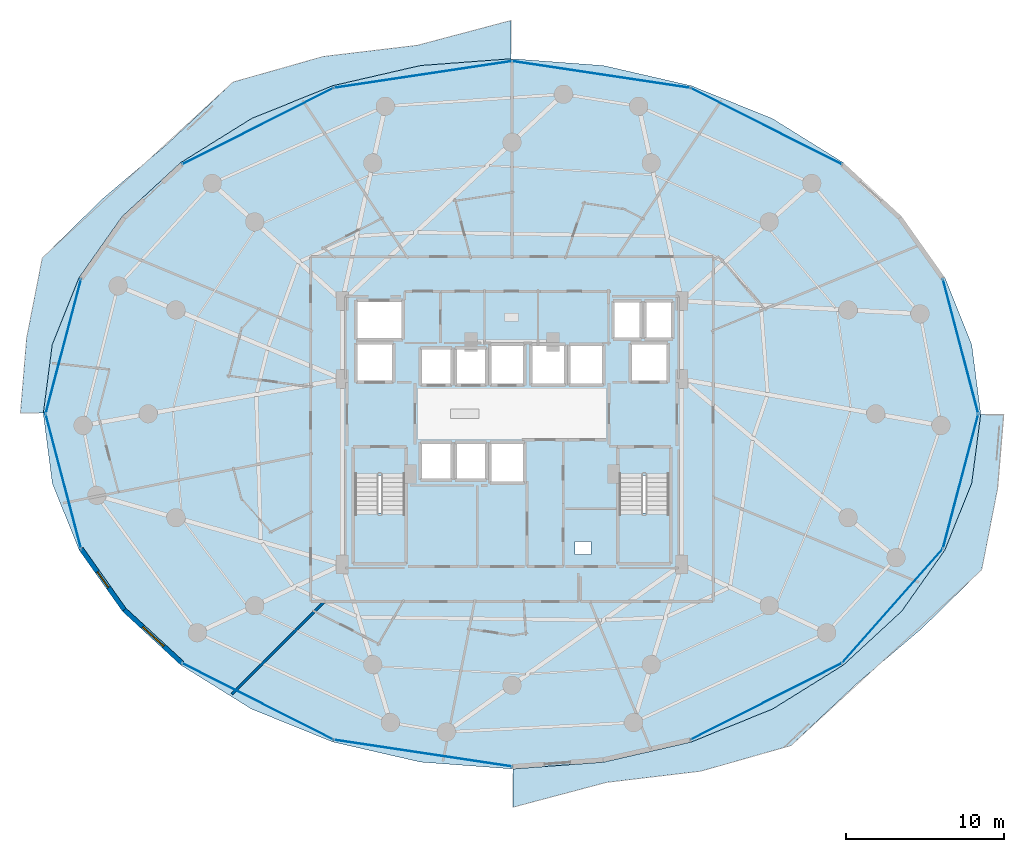
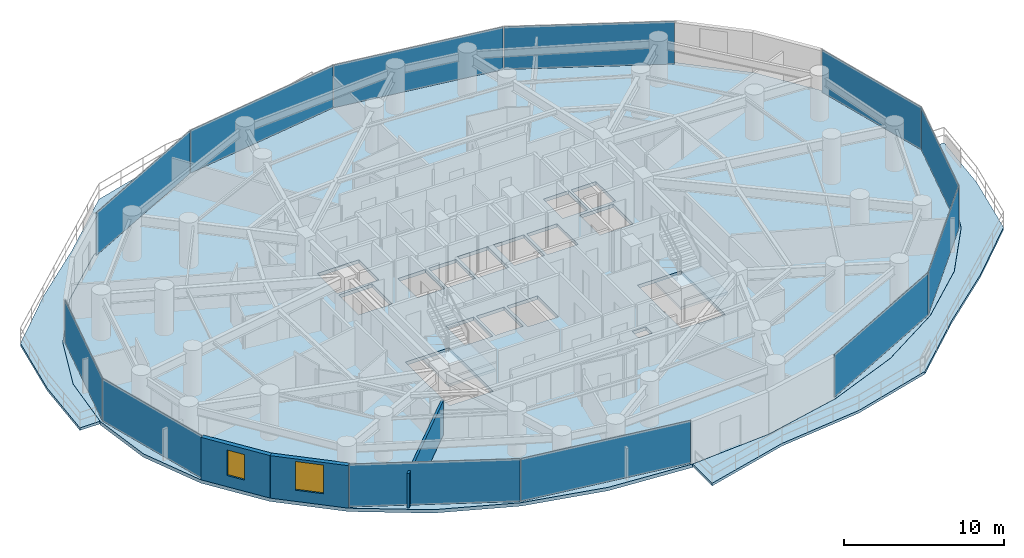
# One storey, part 26 of 35: 12 plates, 5 slabs, 3 walls, 2 windows, 2 openings, 6 elements without a shape of their own.
"""IFC4 building model written with IfcOpenShell, lengths in metres."""

from ifc_helpers import new_model, si_unit, direction, frame, frame_2d, origin, origin_2d, place, context, subcontext, project, spatial, polyline, rectangle, outline, extrude, material, layer, layer_set, type_object, element, fill, aggregate, save


model = new_model("IFC4")

# Units and contexts
model_context = context("Model", 3, precision=1e-05, world=origin(), true_north=direction((0.0, 1.0)))
body_context = subcontext(model_context, "Body", "Model", "MODEL_VIEW")
ifc_project = project(units=[si_unit("LENGTHUNIT", "METRE"), si_unit("AREAUNIT", "SQUARE_METRE"), si_unit("VOLUMEUNIT", "CUBIC_METRE"), si_unit("PLANEANGLEUNIT", "RADIAN"), si_unit("MASSUNIT", "GRAM", prefix="KILO")], contexts=[model_context])

# Site, building, storey
site_placement = place(None, origin())
site = spatial("IfcSite", under=ifc_project, at=site_placement, CompositionType="ELEMENT")
building_placement = place(site_placement, origin())
building = spatial("IfcBuilding", under=site, at=building_placement, Name="Vorneva Point Tower", CompositionType="ELEMENT")
storey_placement = place(building_placement, frame((0.0, 0.0, 52.0)))
storey = spatial("IfcBuildingStorey", under=building, at=storey_placement, Name="L13", CompositionType="ELEMENT", Elevation=52.0)

# Curtain wall, plates
ifc_material_1 = material(Name="Pale anodised aluminium", Category="aluminium")
curtain_wall_type = type_object("IfcCurtainWallType", Name="CW-HTL-SYS", PredefinedType="NOTDEFINED", material=ifc_material_1)
curtain_wall_1_placement = place(storey_placement, origin())
curtain_wall_1 = element("IfcCurtainWall", 1, at=curtain_wall_1_placement, inside=storey, type_object=curtain_wall_type, Name="L13 Unitised Curtain Wall CW-L13-R01", PredefinedType="NOTDEFINED")
ifc_material_2 = material(Name="Double low-e laminated glass IGU", Category="glass")
ifc_layer_1 = layer(ifc_material_2, 0.035888671875)
ifc_layer_set_1 = layer_set([ifc_layer_1], Name="Double low-e laminated glass IGU")
plate_type = type_object("IfcPlateType", Name="CW-PNL-VIS", PredefinedType="CURTAIN_PANEL", material=ifc_layer_set_1)
plate_1_placement = place(storey_placement, frame((54.101806640625, 7.773681640625, -0.02001953125), z_axis=(0.0, 0.0, 1.0), x_axis=(0.892499239729, 0.451048896554, 0.0)))
plate_1 = element("IfcPlate", 2, at=plate_1_placement, type_object=plate_type, Name="CW-L13-R01 Glazed Panel 01", PredefinedType="CURTAIN_PANEL", context=body_context, shape_type="SweptSolid", body=[
    extrude(rectangle(XDim=10.69140625, YDim=0.035888671875, at=origin_2d()), origin(), (0.0, 0.0, 1.0), 3.280029296875),
])
plate_2_placement = place(storey_placement, frame((62.097900390625, 13.821533203125, -0.02001953125), z_axis=(0.0, 0.0, 1.0), x_axis=(0.662070857019, 0.749441245386, 0.0)))
plate_2 = element("IfcPlate", 3, at=plate_2_placement, type_object=plate_type, Name="CW-L13-R01 Glazed Panel 02", PredefinedType="CURTAIN_PANEL", context=body_context, shape_type="SweptSolid", body=[
    extrude(rectangle(XDim=9.625, YDim=0.035888671875, at=origin_2d()), origin(), (0.0, 0.0, 1.0), 3.280029296875),
])
plate_3_placement = place(storey_placement, frame((66.42529296875, 21.723388671875, -0.02001953125), z_axis=(0.0, 0.0, 1.0), x_axis=(0.254348767449, 0.967112560407, 0.0)))
plate_3 = element("IfcPlate", 4, at=plate_3_placement, type_object=plate_type, Name="CW-L13-R01 Glazed Panel 03", PredefinedType="CURTAIN_PANEL", context=body_context, shape_type="SweptSolid", body=[
    extrude(rectangle(XDim=8.793701171875, YDim=0.035888671875, at=origin_2d()), origin(), (0.0, 0.0, 1.0), 3.280029296875),
])
plate_4_placement = place(storey_placement, frame((66.42529296875, 30.276611328125, -0.02001953125), z_axis=(0.0, 0.0, 1.0), x_axis=(-0.254348767449, 0.967112560407, 0.0)))
plate_4 = element("IfcPlate", 5, at=plate_4_placement, type_object=plate_type, Name="CW-L13-R01 Glazed Panel 04", PredefinedType="CURTAIN_PANEL", context=body_context, shape_type="SweptSolid", body=[
    extrude(rectangle(XDim=8.793701171875, YDim=0.035888671875, at=origin_2d()), origin(), (0.0, 0.0, 1.0), 3.280029296875),
])
aggregate(curtain_wall_1, [plate_1, plate_2, plate_3, plate_4])

curtain_wall_2_placement = place(storey_placement, origin())
curtain_wall_2 = element("IfcCurtainWall", 6, at=curtain_wall_2_placement, inside=storey, type_object=curtain_wall_type, Name="L13 Unitised Curtain Wall CW-L13-R02", PredefinedType="NOTDEFINED")
plate_5_placement = place(storey_placement, frame((54.101806640625, 44.226318359375, -0.02001953125), z_axis=(0.0, 0.0, 1.0), x_axis=(-0.892499239729, 0.451048896554, 0.0)))
plate_5 = element("IfcPlate", 7, at=plate_5_placement, type_object=plate_type, Name="CW-L13-R02 Glazed Panel 01", PredefinedType="CURTAIN_PANEL", context=body_context, shape_type="SweptSolid", body=[
    extrude(rectangle(XDim=10.69140625, YDim=0.035888671875, at=origin_2d()), origin(), (0.0, 0.0, 1.0), 3.280029296875),
])
plate_6_placement = place(storey_placement, frame((43.654296875, 47.499267578125, -0.02001953125), z_axis=(0.0, 0.0, 1.0), x_axis=(-0.988870924381, 0.148775989034, 0.0)))
plate_6 = element("IfcPlate", 8, at=plate_6_placement, type_object=plate_type, Name="CW-L13-R02 Glazed Panel 02", PredefinedType="CURTAIN_PANEL", context=body_context, shape_type="SweptSolid", body=[
    extrude(rectangle(XDim=11.385498046875, YDim=0.035888671875, at=origin_2d()), origin(), (0.0, 0.0, 1.0), 3.280029296875),
])
plate_7_placement = place(storey_placement, frame((32.345703125, 47.499267578125, -0.02001953125), z_axis=(0.0, 0.0, 1.0), x_axis=(-0.988870924381, -0.148775989034, 0.0)))
plate_7 = element("IfcPlate", 9, at=plate_7_placement, type_object=plate_type, Name="CW-L13-R02 Glazed Panel 03", PredefinedType="CURTAIN_PANEL", context=body_context, shape_type="SweptSolid", body=[
    extrude(rectangle(XDim=11.385498046875, YDim=0.035888671875, at=origin_2d()), origin(), (0.0, 0.0, 1.0), 3.280029296875),
])
plate_8_placement = place(storey_placement, frame((21.8984375, 44.226318359375, -0.02001953125), z_axis=(0.0, 0.0, 1.0), x_axis=(-0.892499239729, -0.451048896554, 0.0)))
plate_8 = element("IfcPlate", 10, at=plate_8_placement, type_object=plate_type, Name="CW-L13-R02 Glazed Panel 04", PredefinedType="CURTAIN_PANEL", context=body_context, shape_type="SweptSolid", body=[
    extrude(rectangle(XDim=10.69140625, YDim=0.035888671875, at=origin_2d()), origin(), (0.0, 0.0, 1.0), 3.280029296875),
])
aggregate(curtain_wall_2, [plate_5, plate_6, plate_7, plate_8])

curtain_wall_3_placement = place(storey_placement, origin())
curtain_wall_3 = element("IfcCurtainWall", 11, at=curtain_wall_3_placement, inside=storey, type_object=curtain_wall_type, Name="L13 Unitised Curtain Wall CW-L13-R03", PredefinedType="NOTDEFINED")
plate_9_placement = place(storey_placement, frame((9.57470703125, 30.276611328125, -0.02001953125), z_axis=(0.0, 0.0, 1.0), x_axis=(-0.254348767449, -0.967112560407, 0.0)))
plate_9 = element("IfcPlate", 12, at=plate_9_placement, type_object=plate_type, Name="CW-L13-R03 Glazed Panel 01", PredefinedType="CURTAIN_PANEL", context=body_context, shape_type="SweptSolid", body=[
    extrude(rectangle(XDim=8.793701171875, YDim=0.035888671875, at=origin_2d()), origin(), (0.0, 0.0, 1.0), 3.280029296875),
])
plate_10_placement = place(storey_placement, frame((9.57470703125, 21.723388671875, -0.02001953125), z_axis=(0.0, 0.0, 1.0), x_axis=(0.254348767449, -0.967112560407, 0.0)))
plate_10 = element("IfcPlate", 13, at=plate_10_placement, type_object=plate_type, Name="CW-L13-R03 Glazed Panel 02", PredefinedType="CURTAIN_PANEL", context=body_context, shape_type="SweptSolid", body=[
    extrude(rectangle(XDim=8.793701171875, YDim=0.035888671875, at=origin_2d()), origin(), (0.0, 0.0, 1.0), 3.280029296875),
])
aggregate(curtain_wall_3, [plate_9, plate_10])

curtain_wall_4_placement = place(storey_placement, origin())
curtain_wall_4 = element("IfcCurtainWall", 14, at=curtain_wall_4_placement, inside=storey, type_object=curtain_wall_type, Name="L13 Unitised Curtain Wall CW-L13-R04", PredefinedType="NOTDEFINED")
plate_11_placement = place(storey_placement, frame((21.8984375, 7.773681640625, -0.02001953125), z_axis=(0.0, 0.0, 1.0), x_axis=(0.892499239729, -0.451048896554, 0.0)))
plate_11 = element("IfcPlate", 15, at=plate_11_placement, type_object=plate_type, Name="CW-L13-R04 Glazed Panel 01", PredefinedType="CURTAIN_PANEL", context=body_context, shape_type="SweptSolid", body=[
    extrude(rectangle(XDim=10.69140625, YDim=0.035888671875, at=origin_2d()), origin(), (0.0, 0.0, 1.0), 3.280029296875),
])
plate_12_placement = place(storey_placement, frame((32.345703125, 4.500732421875, -0.02001953125), z_axis=(0.0, 0.0, 1.0), x_axis=(0.988870924381, -0.148775989034, 0.0)))
plate_12 = element("IfcPlate", 16, at=plate_12_placement, type_object=plate_type, Name="CW-L13-R04 Glazed Panel 02", PredefinedType="CURTAIN_PANEL", context=body_context, shape_type="SweptSolid", body=[
    extrude(rectangle(XDim=11.385498046875, YDim=0.035888671875, at=origin_2d()), origin(), (0.0, 0.0, 1.0), 3.280029296875),
])
aggregate(curtain_wall_4, [plate_11, plate_12])

# Slabs
ifc_material_3 = material(Name="Concrete B50 (C40/50)", Category="concrete")
ifc_layer_2 = layer(ifc_material_3, 0.199951171875)
ifc_layer_set_2 = layer_set([ifc_layer_2], Name="Concrete B50 (C40/50)")
slab_type_1 = type_object("IfcSlabType", Name="SLB-BAL-200", PredefinedType="FLOOR", material=ifc_layer_set_2)
slab_1_placement = place(storey_placement, frame((0.0, 0.0, -0.199951171875)))
element("IfcSlab", 17, at=slab_1_placement, inside=storey, type_object=slab_type_1, Name="L13 Cantilevered Wave Balcony NW", PredefinedType="FLOOR", context=body_context, shape_type="SweptSolid", body=[
    extrude(outline(polyline([(6.84912109375, 26.050048828125), (8.302490234375, 26.050048828125), (8.86669921875, 30.389892578125), (8.86669921875, 30.390380859375), (8.866943359375, 30.390625), (8.866943359375, 30.39111328125), (10.55712890625, 34.61181640625), (10.557373046875, 34.6123046875), (10.5576171875, 34.61279296875), (13.302001953125, 38.502685546875), (13.302490234375, 38.5029296875), (13.302734375, 38.503173828125), (16.99609375, 41.912841796875), (16.99658203125, 41.9130859375), (16.996826171875, 41.913330078125), (21.49755859375, 44.71142578125), (21.497802734375, 44.711669921875), (21.498046875, 44.7119140625), (26.6328125, 46.791015625), (26.633056640625, 46.791015625), (26.63330078125, 46.791259765625), (32.204833984375, 48.071533203125), (32.205078125, 48.07177734375), (32.20556640625, 48.07177734375), (37.949951171875, 48.500244140625), (37.949951171875, 50.931640625), (32.01171875, 49.3564453125), (26.050537109375, 48.647705078125), (20.326904296875, 47.02490234375), (16.120361328125, 43.069580078125), (12.043701171875, 39.613037109375), (8.235595703125, 35.881591796875), (7.24365234375, 30.816650390625), (6.84912109375, 26.050048828125)])), origin(), (0.0, 0.0, 1.0), 0.199951171875),
])
slab_2_placement = place(storey_placement, frame((0.0, 0.0, -0.199951171875)))
element("IfcSlab", 18, at=slab_2_placement, inside=storey, type_object=slab_type_1, Name="L13 Cantilevered Wave Balcony SE", PredefinedType="FLOOR", context=body_context, shape_type="SweptSolid", body=[
    extrude(outline(polyline([(68.75634765625, 21.183349609375), (69.15087890625, 25.949951171875), (67.697509765625, 25.949951171875), (67.13330078125, 21.610107421875), (67.13330078125, 21.609619140625), (67.133056640625, 21.609375), (67.133056640625, 21.60888671875), (65.44287109375, 17.38818359375), (65.442626953125, 17.3876953125), (65.4423828125, 17.38720703125), (62.697998046875, 13.497314453125), (62.697509765625, 13.4970703125), (62.697265625, 13.496826171875), (59.00390625, 10.087158203125), (59.00341796875, 10.0869140625), (59.003173828125, 10.086669921875), (54.50244140625, 7.28857421875), (54.502197265625, 7.288330078125), (54.501953125, 7.2880859375), (49.3671875, 5.208984375), (49.366943359375, 5.208984375), (49.36669921875, 5.208740234375), (43.795166015625, 3.928466796875), (43.794921875, 3.92822265625), (43.79443359375, 3.92822265625), (38.050048828125, 3.499755859375), (38.050048828125, 1.068359375), (43.98828125, 2.6435546875), (49.949462890625, 3.352294921875), (55.673095703125, 4.97509765625), (59.879638671875, 8.930419921875), (63.956298828125, 12.386962890625), (67.764404296875, 16.118408203125), (68.75634765625, 21.183349609375)])), origin(), (0.0, 0.0, 1.0), 0.199951171875),
])

# Stair, slab
stair_type = type_object("IfcStairType", Name="ST-DOG-1500", PredefinedType="HALF_TURN_STAIR", material=ifc_material_3)
stair_1_placement = place(storey_placement, origin())
stair_1 = element("IfcStair", 19, at=stair_1_placement, inside=storey, type_object=stair_type, Name="L13 ST1", PredefinedType="HALF_TURN_STAIR")
ifc_layer_3 = layer(ifc_material_3, 0.199951171875)
ifc_layer_set_3 = layer_set([ifc_layer_3], Name="Concrete B50 (C40/50)")
slab_type_2 = type_object("IfcSlabType", Name="SLB-LND-200", PredefinedType="LANDING", material=ifc_layer_set_3)
slab_3_placement = place(storey_placement, frame((0.0, 0.0, 1.550048828125)))
slab_3 = element("IfcSlab", 20, at=slab_3_placement, type_object=slab_type_2, Name="ST1 landing 1", PredefinedType="LANDING", context=body_context, shape_type="SweptSolid", body=[
    extrude(outline(polyline([(27.929931640625, 16.47998046875), (31.320068359375, 16.47998046875), (31.320068359375, 19.72998046875), (27.929931640625, 19.72998046875), (27.929931640625, 16.47998046875)])), origin(), (0.0, 0.0, 1.0), 0.199951171875),
])
aggregate(stair_1, [slab_3])

stair_2_placement = place(storey_placement, origin())
stair_2 = element("IfcStair", 21, at=stair_2_placement, inside=storey, type_object=stair_type, Name="L13 ST2", PredefinedType="HALF_TURN_STAIR")
slab_4_placement = place(storey_placement, frame((0.0, 0.0, 1.550048828125)))
slab_4 = element("IfcSlab", 22, at=slab_4_placement, type_object=slab_type_2, Name="ST2 landing 1", PredefinedType="LANDING", context=body_context, shape_type="SweptSolid", body=[
    extrude(outline(polyline([(44.679931640625, 16.47998046875), (48.070068359375, 16.47998046875), (48.070068359375, 19.72998046875), (44.679931640625, 19.72998046875), (44.679931640625, 16.47998046875)])), origin(), (0.0, 0.0, 1.0), 0.199951171875),
])
aggregate(stair_2, [slab_4])

# Slab
ifc_layer_4 = layer(ifc_material_3, 0.260009765625)
ifc_layer_set_4 = layer_set([ifc_layer_4], Name="Concrete B50 (C40/50)")
slab_type_3 = type_object("IfcSlabType", Name="SLB-TYP-260", PredefinedType="FLOOR", material=ifc_layer_set_4)
slab_5_placement = place(storey_placement, frame((0.0, 0.0, -0.260009765625)))
element("IfcSlab", 23, at=slab_5_placement, inside=storey, type_object=slab_type_3, Name="L13 Structural Floor Plate", PredefinedType="FLOOR", context=body_context, shape_type="SweptSolid", body=[
    extrude(outline(polyline([(67.699951171875, 26.0), (67.12939453125, 30.389404296875), (65.439208984375, 34.6103515625), (62.694580078125, 38.500244140625), (59.001220703125, 41.909912109375), (54.50048828125, 44.7080078125), (49.36572265625, 46.787353515625), (43.794189453125, 48.067626953125), (38.0, 48.5), (32.205810546875, 48.067626953125), (26.63427734375, 46.787353515625), (21.49951171875, 44.7080078125), (16.998779296875, 41.909912109375), (13.305419921875, 38.500244140625), (10.560791015625, 34.6103515625), (8.87060546875, 30.389404296875), (8.300048828125, 26.0), (8.87060546875, 21.610595703125), (10.560791015625, 17.3896484375), (13.305419921875, 13.499755859375), (16.998779296875, 10.090087890625), (21.49951171875, 7.2919921875), (26.63427734375, 5.212646484375), (32.205810546875, 3.932373046875), (38.0, 3.5), (43.794189453125, 3.932373046875), (49.36572265625, 5.212646484375), (54.50048828125, 7.2919921875), (59.001220703125, 10.090087890625), (62.694580078125, 13.499755859375), (65.439208984375, 17.3896484375), (67.12939453125, 21.610595703125), (67.699951171875, 26.0)]), holes=[polyline([(32.199951171875, 27.800048828125), (34.199951171875, 27.800048828125), (34.199951171875, 30.199951171875), (32.199951171875, 30.199951171875), (32.199951171875, 27.800048828125)]), polyline([(34.39990234375, 27.800048828125), (36.39990234375, 27.800048828125), (36.39990234375, 30.199951171875), (34.39990234375, 30.199951171875), (34.39990234375, 27.800048828125)]), polyline([(36.60009765625, 27.800048828125), (38.800048828125, 27.800048828125), (38.800048828125, 30.39990234375), (36.60009765625, 30.39990234375), (36.60009765625, 27.800048828125)]), polyline([(32.199951171875, 21.800048828125), (34.199951171875, 21.800048828125), (34.199951171875, 24.199951171875), (32.199951171875, 24.199951171875), (32.199951171875, 21.800048828125)]), polyline([(34.39990234375, 21.800048828125), (36.39990234375, 21.800048828125), (36.39990234375, 24.199951171875), (34.39990234375, 24.199951171875), (34.39990234375, 21.800048828125)]), polyline([(36.60009765625, 21.60009765625), (38.800048828125, 21.60009765625), (38.800048828125, 24.199951171875), (36.60009765625, 24.199951171875), (36.60009765625, 21.60009765625)]), polyline([(39.199951171875, 27.800048828125), (41.39990234375, 27.800048828125), (41.39990234375, 30.39990234375), (39.199951171875, 30.39990234375), (39.199951171875, 27.800048828125)]), polyline([(41.60009765625, 27.800048828125), (43.800048828125, 27.800048828125), (43.800048828125, 30.39990234375), (41.60009765625, 30.39990234375), (41.60009765625, 27.800048828125)]), polyline([(44.39990234375, 30.739990234375), (46.199951171875, 30.739990234375), (46.199951171875, 33.159912109375), (44.39990234375, 33.159912109375), (44.39990234375, 30.739990234375)]), polyline([(46.39990234375, 30.739990234375), (48.199951171875, 30.739990234375), (48.199951171875, 33.159912109375), (46.39990234375, 33.159912109375), (46.39990234375, 30.739990234375)]), polyline([(28.10009765625, 28.0), (30.5, 28.0), (30.5, 30.5), (28.10009765625, 30.5), (28.10009765625, 28.0)]), polyline([(45.5, 28.0), (47.89990234375, 28.0), (47.89990234375, 30.5), (45.5, 30.5), (45.5, 28.0)]), polyline([(28.10009765625, 30.699951171875), (31.10009765625, 30.699951171875), (31.10009765625, 33.199951171875), (28.10009765625, 33.199951171875), (28.10009765625, 30.699951171875)]), polyline([(28.050048828125, 16.60009765625), (31.199951171875, 16.60009765625), (31.199951171875, 22.080078125), (28.050048828125, 22.080078125), (28.050048828125, 16.60009765625)]), polyline([(44.800048828125, 16.60009765625), (47.949951171875, 16.60009765625), (47.949951171875, 22.080078125), (44.800048828125, 22.080078125), (44.800048828125, 16.60009765625)]), polyline([(42.0, 17.10009765625), (43.0, 17.10009765625), (43.0, 17.89990234375), (42.0, 17.89990234375), (42.0, 17.10009765625)])]), origin(), (0.0, 0.0, 1.0), 0.260009765625),
])

# Wall, opening, window
ifc_material_4 = material(Name="Precast concrete B50 (C40/50)", Category="concrete")
ifc_layer_5 = layer(ifc_material_4, 0.300048828125)
ifc_layer_set_5 = layer_set([ifc_layer_5], Name="Precast concrete B50 (C40/50)")
wall_type_1 = type_object("IfcWallType", Name="WL-EXT-300", PredefinedType="STANDARD", material=ifc_layer_set_5)
wall_1_placement = place(storey_placement, frame((10.699462890625, 17.447021484375, 0.0), z_axis=(0.0, 0.0, 1.0), x_axis=(0.577130815624, -0.816651713803, 0.0)))
wall_1 = element("IfcWall", 24, at=wall_1_placement, inside=storey, type_object=wall_type_1, Name="L13 Pale-Metal Facade Spandrel Wall 10.1", PredefinedType="STANDARD", context=body_context, shape_type="SweptSolid", body=[
    extrude(rectangle(XDim=4.7314453125, YDim=0.300048828125, at=frame_2d((2.36572265625, 0.0))), origin(), (0.0, 0.0, 1.0), 3.239990234375),
])
opening_1_placement = place(wall_1_placement, frame((1.79541015625, 0.0, 0.85009765625)))
opening_1 = element("IfcOpeningElement", 25, at=opening_1_placement, cuts=wall_1, Name="Opening W-04", PredefinedType="OPENING", context=body_context, shape_type="SweptSolid", body=[
    extrude(rectangle(XDim=1.199951171875, YDim=1.949951171875, at=frame_2d((0.60009765625, 0.97509765625))), frame((0.0, 0.1650390625, 0.0), z_axis=(0.0, -1.0, 0.0), x_axis=(1.0, 0.0, 0.0)), (0.0, 0.0, 1.0), 0.329833984375),
])
window_type_1 = type_object("IfcWindowType", Name="WN-RES-1200", PartitioningType="SINGLE_PANEL", PredefinedType="WINDOW", material=ifc_material_2)
window_1_placement = place(opening_1_placement, origin())
window_1 = element("IfcWindow", 26, at=window_1_placement, inside=storey, type_object=window_type_1, Name="L13 Dwelling Vision Window 01", OverallHeight=1.949951171875, OverallWidth=1.199951171875, PartitioningType="SINGLE_PANEL", PredefinedType="WINDOW", context=body_context, shape_type="SweptSolid", body=[
    extrude(rectangle(XDim=1.199951171875, YDim=1.949951171875, at=frame_2d((0.60009765625, 0.97509765625))), frame((0.0, 0.030029296875, 0.0), z_axis=(0.0, -1.0, 0.0), x_axis=(1.0, 0.0, 0.0)), (0.0, 0.0, 1.0), 0.06005859375),
])
fill(opening_1, window_1)

wall_2_placement = place(storey_placement, frame((13.43017578125, 13.5830078125, 0.0), z_axis=(0.0, 0.0, 1.0), x_axis=(0.735342629635, -0.677695519419, 0.0)))
wall_2 = element("IfcWall", 27, at=wall_2_placement, inside=storey, type_object=wall_type_1, Name="L13 Pale-Metal Facade Spandrel Wall 10.2", PredefinedType="STANDARD", context=body_context, shape_type="SweptSolid", body=[
    extrude(rectangle(XDim=4.997314453125, YDim=0.300048828125, at=frame_2d((2.49853515625, 0.0))), origin(), (0.0, 0.0, 1.0), 3.239990234375),
])
opening_2_placement = place(wall_2_placement, frame((1.598876953125, 0.0, 0.85009765625)))
opening_2 = element("IfcOpeningElement", 28, at=opening_2_placement, cuts=wall_2, Name="Opening W-01", PredefinedType="OPENING", context=body_context, shape_type="SweptSolid", body=[
    extrude(rectangle(XDim=1.800048828125, YDim=2.18994140625, at=frame_2d((0.89990234375, 1.094970703125))), frame((0.0, 0.1650390625, 0.0), z_axis=(0.0, -1.0, 0.0), x_axis=(1.0, 0.0, 0.0)), (0.0, 0.0, 1.0), 0.329833984375),
])
window_type_2 = type_object("IfcWindowType", Name="WN-LOG-1800", PartitioningType="SINGLE_PANEL", PredefinedType="WINDOW", material=ifc_material_2)
window_2_placement = place(opening_2_placement, origin())
window_2 = element("IfcWindow", 29, at=window_2_placement, inside=storey, type_object=window_type_2, Name="L13 Facade Window 10", OverallHeight=2.18994140625, OverallWidth=1.800048828125, PartitioningType="SINGLE_PANEL", PredefinedType="WINDOW", context=body_context, shape_type="SweptSolid", body=[
    extrude(rectangle(XDim=1.800048828125, YDim=2.18994140625, at=frame_2d((0.89990234375, 1.094970703125))), frame((0.0, 0.030029296875, 0.0), z_axis=(0.0, -1.0, 0.0), x_axis=(1.0, 0.0, 0.0)), (0.0, 0.0, 1.0), 0.06005859375),
])
fill(opening_2, window_2)

# Wall
ifc_material_5 = material(Name="Fire-rated acoustic gypsum stud partition", Category="gypsum")
ifc_layer_6 = layer(ifc_material_5, 0.159912109375)
ifc_layer_set_6 = layer_set([ifc_layer_6], Name="Fire-rated acoustic gypsum stud partition")
wall_type_2 = type_object("IfcWallType", Name="WL-PART-160", PredefinedType="PARTITIONING", material=ifc_layer_set_6)
wall_3_placement = place(storey_placement, frame((20.2470703125, 8.2470703125, 0.0), z_axis=(0.0, 0.0, 1.0), x_axis=(0.707106781187, 0.707106781187, 0.0)))
element("IfcWall", 30, at=wall_3_placement, inside=storey, type_object=wall_type_2, Name="L13 Interior Partition 079", PredefinedType="PARTITIONING", context=body_context, shape_type="SweptSolid", body=[
    extrude(rectangle(XDim=8.27734375, YDim=0.159912109375, at=frame_2d((4.138671875, 0.0))), origin(), (0.0, 0.0, 1.0), 2.6240234375),
])

save(model, "model.ifc")
